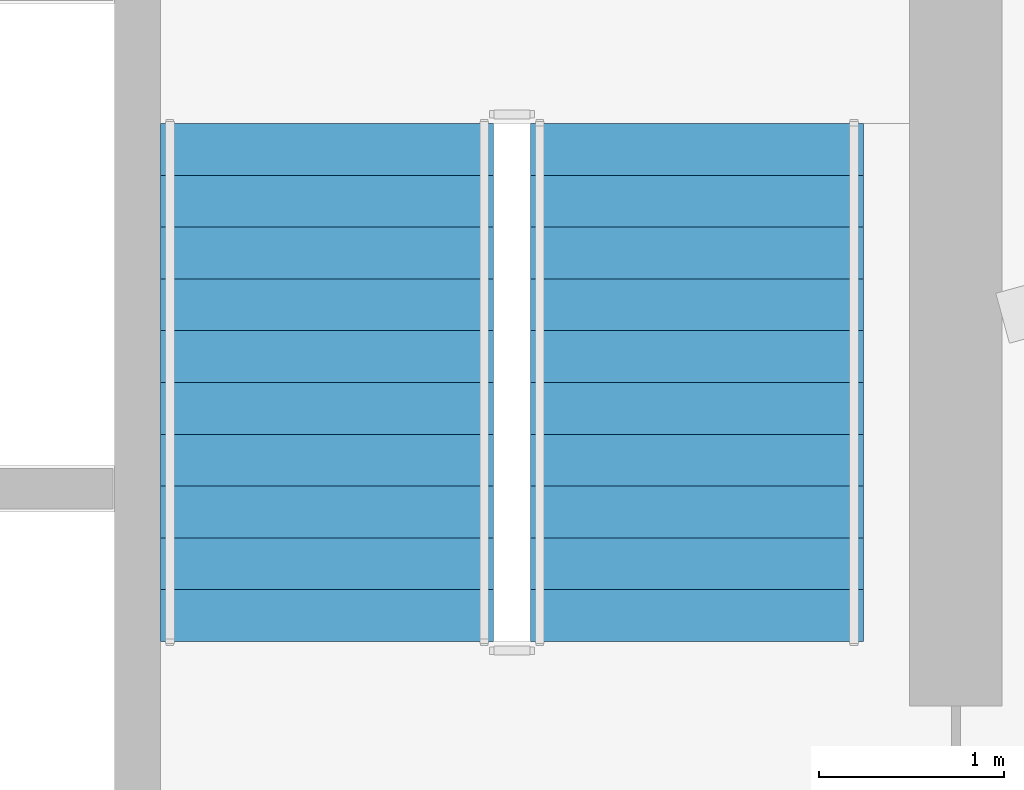
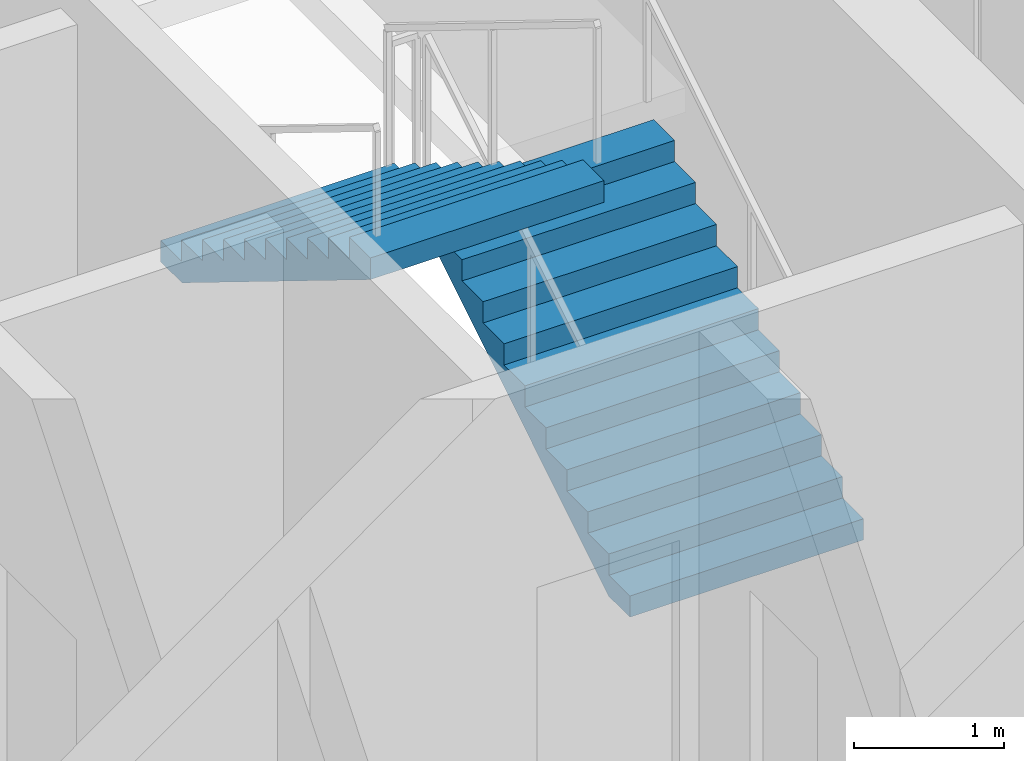
# One storey, part 20 of 23: 2 stair flights, 1 element without a shape of its own.
"""IFC4 building model written with IfcOpenShell, lengths in metres."""

from ifc_helpers import new_model, si_unit, direction, frame, origin, place, context, subcontext, project, spatial, polyline, outline, extrude, material, type_object, element, aggregate, save


model = new_model("IFC4")

# Units and contexts
model_context = context("Model", 3, precision=1e-05, world=origin(), true_north=direction((0.0, 1.0)))
body_context = subcontext(model_context, "Body", "Model", "MODEL_VIEW")
ifc_project = project(units=[si_unit("LENGTHUNIT", "METRE"), si_unit("AREAUNIT", "SQUARE_METRE"), si_unit("VOLUMEUNIT", "CUBIC_METRE"), si_unit("PLANEANGLEUNIT", "RADIAN"), si_unit("MASSUNIT", "GRAM", prefix="KILO")], contexts=[model_context])

# Site, building, storey
site_placement = place(None, origin())
site = spatial("IfcSite", under=ifc_project, at=site_placement, CompositionType="ELEMENT")
building_placement = place(site_placement, origin())
building = spatial("IfcBuilding", under=site, at=building_placement, Name="Zuhravey Tower", CompositionType="ELEMENT")
storey_placement = place(building_placement, frame((0.0, 0.0, 350.0)))
storey = spatial("IfcBuildingStorey", under=building, at=storey_placement, Name="L89", CompositionType="ELEMENT", Elevation=350.0)

# Stair, stair flights
ifc_material = material(Name="Concrete C40/50", Category="concrete")
stair_type = type_object("IfcStairType", Name="Housing Storey Stair Assembly 3800", PredefinedType="HALF_TURN_STAIR", material=ifc_material)
stair_placement = place(storey_placement, origin())
stair = element("IfcStair", 1, at=stair_placement, inside=storey, type_object=stair_type, Name="L89 Core Exit Stair ST2", PredefinedType="HALF_TURN_STAIR")
stair_flight_type = type_object("IfcStairFlightType", Name="Housing Storey Stair Flight 3800", PredefinedType="STRAIGHT", material=ifc_material)
stair_flight_1_placement = place(storey_placement, frame((45.10009765625, 33.199951171875, 0.0), z_axis=(0.0, 0.0, 1.0), x_axis=(0.0, 1.0, 0.0)))
stair_flight_1 = element("IfcStairFlight", 2, at=stair_flight_1_placement, type_object=stair_flight_type, Name="ST2 flight 1", NumberOfRisers=11, NumberOfTreads=10, PredefinedType="STRAIGHT", RiserHeight=0.172727273, TreadLength=0.28, context=body_context, shape_type="SweptSolid", body=[
    extrude(outline(polyline([(0.0, 0.0), (0.0, 0.172607421875), (0.280029296875, 0.172607421875), (0.280029296875, 0.345458984375), (0.56005859375, 0.345458984375), (0.56005859375, 0.51806640625), (0.840087890625, 0.51806640625), (0.840087890625, 0.69091796875), (1.1201171875, 0.69091796875), (1.1201171875, 0.863525390625), (1.39990234375, 0.863525390625), (1.39990234375, 1.036376953125), (1.679931640625, 1.036376953125), (1.679931640625, 1.208984375), (1.9599609375, 1.208984375), (1.9599609375, 1.3818359375), (2.239990234375, 1.3818359375), (2.239990234375, 1.554443359375), (2.52001953125, 1.554443359375), (2.52001953125, 1.727294921875), (2.800048828125, 1.727294921875), (2.800048828125, 1.89990234375), (2.800048828125, 1.551025390625), (0.285400390625, 0.0), (0.0, 0.0)])), frame((0.0, 0.89990234375, 0.0), z_axis=(0.0, -1.0, 0.0), x_axis=(1.0, 0.0, 0.0)), (0.0, 0.0, 1.0), 1.800048828125),
])
stair_flight_2_placement = place(storey_placement, frame((43.10009765625, 36.0, 1.89990234375), z_axis=(0.0, 0.0, 1.0), x_axis=(0.0, -1.0, 0.0)))
stair_flight_2 = element("IfcStairFlight", 3, at=stair_flight_2_placement, type_object=stair_flight_type, Name="ST2 flight 2", NumberOfRisers=11, NumberOfTreads=10, PredefinedType="STRAIGHT", RiserHeight=0.172727273, TreadLength=0.28, context=body_context, shape_type="SweptSolid", body=[
    extrude(outline(polyline([(0.0, 0.0), (0.0, 0.172607421875), (0.280029296875, 0.172607421875), (0.280029296875, 0.345458984375), (0.56005859375, 0.345458984375), (0.56005859375, 0.51806640625), (0.840087890625, 0.51806640625), (0.840087890625, 0.69091796875), (1.1201171875, 0.69091796875), (1.1201171875, 0.863525390625), (1.39990234375, 0.863525390625), (1.39990234375, 1.036376953125), (1.679931640625, 1.036376953125), (1.679931640625, 1.208984375), (1.9599609375, 1.208984375), (1.9599609375, 1.3818359375), (2.239990234375, 1.3818359375), (2.239990234375, 1.554443359375), (2.52001953125, 1.554443359375), (2.52001953125, 1.727294921875), (2.800048828125, 1.727294921875), (2.800048828125, 1.89990234375), (2.800048828125, 1.551025390625), (0.285400390625, 0.0), (0.0, 0.0)])), frame((0.0, 0.89990234375, 0.0), z_axis=(0.0, -1.0, 0.0), x_axis=(1.0, 0.0, 0.0)), (0.0, 0.0, 1.0), 1.800048828125),
])
aggregate(stair, [stair_flight_1, stair_flight_2])

save(model, "model.ifc")
